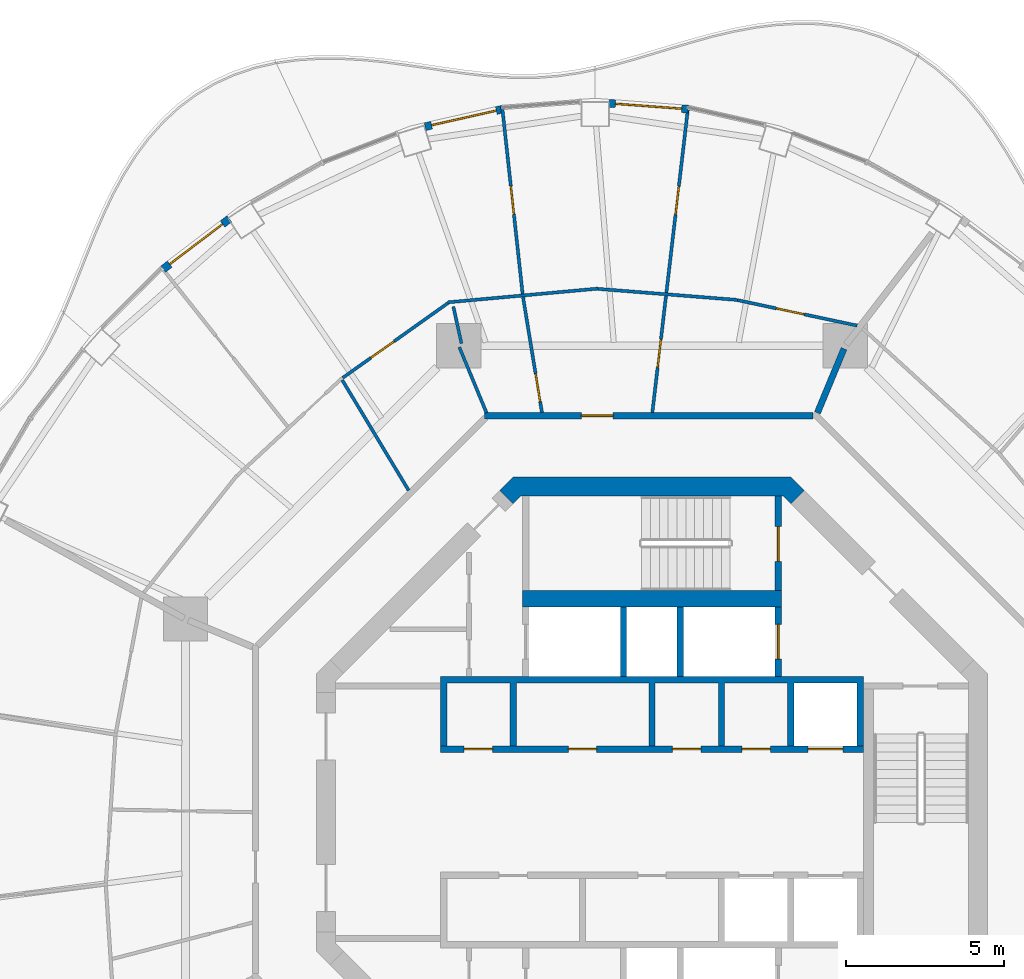
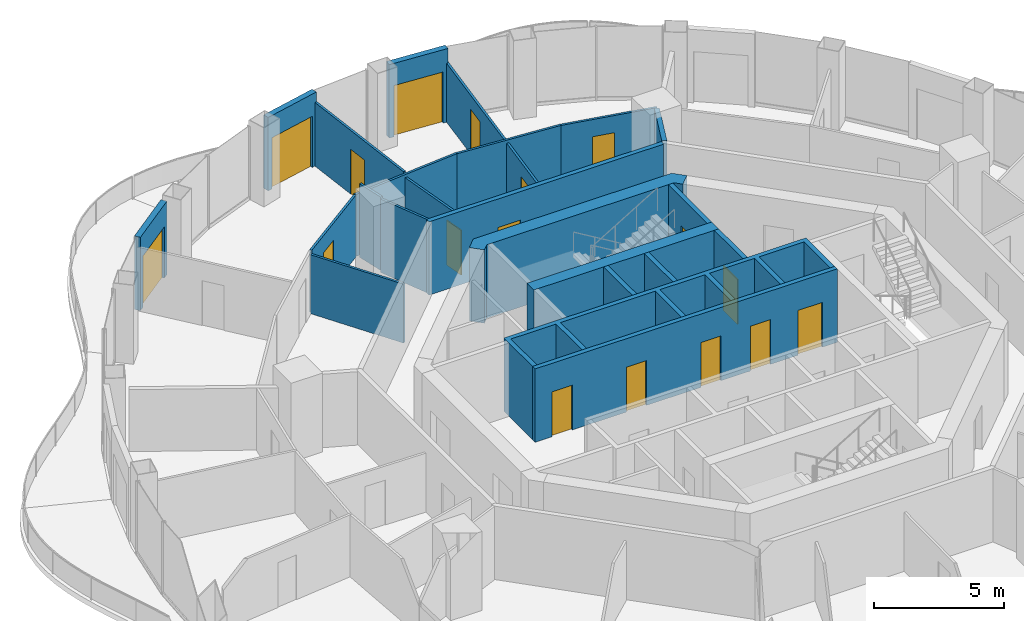
# One storey, part 13 of 17: 23 walls, 17 doors, 17 openings.
"""IFC4 building model written with IfcOpenShell, lengths in metres."""

import ifcopenshell
import ifcopenshell.guid

model = None  # the IFC model being written
_history = None  # IfcOwnerHistory: only IFC2X3 demands one
_inside = {}  # id of a spatial element -> (the spatial element, [elements in it])
_under = {}  # id of a project, library or spatial element -> (it, [spatial elements below it])
_declared = {}  # id of a project -> (the project, [libraries it declares])
_typed = {}  # id of a type object -> (the type object, [elements of that type])
_made_of = {}  # id of a material, layer set ... -> (it, [elements and type objects made of it])


def new_model(schema):
    """Start an empty IFC model of exactly this schema.

    Asked for "IFC4X3", IfcOpenShell would pick the latest addendum, in which some entities
    have other attributes; the version numbers below select the first issue.
    IFC2X3 requires an IfcOwnerHistory on every rooted entity: one is made here for all.
    """
    global model, _history
    if schema == "IFC4X3":
        model = ifcopenshell.file(schema_version=(4, 3, 0, 0))
    else:
        model = ifcopenshell.file(schema=schema)
    _inside.clear()
    _under.clear()
    _declared.clear()
    _typed.clear()
    _made_of.clear()
    _history = None
    if model.schema == "IFC2X3":
        org = make("IfcOrganization", Name="unknown")
        user = make(
            "IfcPersonAndOrganization",
            ThePerson=make("IfcPerson", FamilyName="unknown"),
            TheOrganization=org,
        )
        app = make(
            "IfcApplication",
            ApplicationDeveloper=org,
            Version="unknown",
            ApplicationFullName="unknown",
            ApplicationIdentifier="unknown",
        )
        _history = make(
            "IfcOwnerHistory",
            OwningUser=user,
            OwningApplication=app,
            ChangeAction="ADDED",
            CreationDate=0,
        )
    return model


def make(cls, **values):
    """One entity of the class cls with the attributes given. An attribute that is None is left unset."""
    return model.create_entity(
        cls, **{name: value for name, value in values.items() if value is not None}
    )


def rooted(cls, **values):
    """An entity with a GlobalId (a new one), such as an element, a storey or a relation."""
    return make(cls, GlobalId=ifcopenshell.guid.new(), OwnerHistory=_history, **values)


def si_unit(unit_type, name, prefix=None):
    """IfcSIUnit, for example si_unit("LENGTHUNIT", "METRE", prefix="MILLI")."""
    return make("IfcSIUnit", UnitType=unit_type, Prefix=prefix, Name=name)


def assignment(units):
    """IfcUnitAssignment: the units of a project."""
    return None if units is None else make("IfcUnitAssignment", Units=units)


def point(xyz):
    """IfcCartesianPoint."""
    return None if xyz is None else make("IfcCartesianPoint", Coordinates=xyz)


def direction(xyz):
    """IfcDirection."""
    return None if xyz is None else make("IfcDirection", DirectionRatios=xyz)


def frame(location, z_axis=None, x_axis=None):
    """IfcAxis2Placement3D, a coordinate frame: its origin and axes. An axis left out is left unset."""
    return make(
        "IfcAxis2Placement3D",
        Location=point(location),
        Axis=direction(z_axis),
        RefDirection=direction(x_axis),
    )


def frame_2d(location, x_axis=None):
    """IfcAxis2Placement2D, a coordinate frame in the plane: its origin and x axis."""
    return make(
        "IfcAxis2Placement2D", Location=point(location), RefDirection=direction(x_axis)
    )


def origin():
    """The frame at (0, 0, 0) with its axes left unset."""
    return frame((0.0, 0.0, 0.0))


def place(relative_to, where):
    """IfcLocalPlacement: puts the frame where relative to a parent placement (None: the world)."""
    return make(
        "IfcLocalPlacement", PlacementRelTo=relative_to, RelativePlacement=where
    )


def context(
    kind, dimensions, precision=None, world=None, true_north=None, identifier=None
):
    """IfcGeometricRepresentationContext, for example the 3D "Model" context."""
    return make(
        "IfcGeometricRepresentationContext",
        ContextIdentifier=identifier,
        ContextType=kind,
        CoordinateSpaceDimension=dimensions,
        Precision=precision,
        WorldCoordinateSystem=world,
        TrueNorth=true_north,
    )


def subcontext(parent, identifier, kind, view, scale=None):
    """IfcGeometricRepresentationSubContext, for example "Body" below "Model"."""
    return make(
        "IfcGeometricRepresentationSubContext",
        ContextIdentifier=identifier,
        ContextType=kind,
        ParentContext=parent,
        TargetScale=scale,
        TargetView=view,
    )


def project(units=None, contexts=None):
    """IfcProject with its units and contexts."""
    return rooted(
        "IfcProject",
        Name="project",
        RepresentationContexts=contexts,
        UnitsInContext=assignment(units),
    )


def spatial(cls, under=None, at=None, **own):
    """A site, building, storey or space (cls), placed at a placement, below another one or the project."""
    s = rooted(cls, ObjectPlacement=at, **own)
    if under is not None:
        _under.setdefault(under.id(), (under, []))[1].append(s)
    return s


def polyline(points):
    """IfcPolyline through the points."""
    return make("IfcPolyline", Points=[point(p) for p in points])


def profile(cls, at=None, kind="AREA", **sizes):
    """A parametric profile (cls). Its sizes go by their IFC names, for example OverallWidth=200.0."""
    return make(cls, ProfileType=kind, Position=at, **sizes)


def rectangle(**sizes):
    """IfcRectangleProfileDef."""
    return profile("IfcRectangleProfileDef", **sizes)


def outline(outer, holes=None, kind="AREA"):
    """IfcArbitraryClosedProfileDef: a profile drawn as a closed curve; with holes, ...WithVoids."""
    if holes is None:
        return make("IfcArbitraryClosedProfileDef", ProfileType=kind, OuterCurve=outer)
    return make(
        "IfcArbitraryProfileDefWithVoids",
        ProfileType=kind,
        OuterCurve=outer,
        InnerCurves=holes,
    )


def extrude(swept, where, along, depth):
    """IfcExtrudedAreaSolid: the profile swept, set in the frame where, extruded along a direction by depth."""
    return make(
        "IfcExtrudedAreaSolid",
        SweptArea=swept,
        Position=where,
        ExtrudedDirection=direction(along),
        Depth=depth,
    )


def shape(context_of_items, identifier, shape_type, items):
    """IfcShapeRepresentation: the items that make up one representation, for example the "Body"."""
    return make(
        "IfcShapeRepresentation",
        ContextOfItems=context_of_items,
        RepresentationIdentifier=identifier,
        RepresentationType=shape_type,
        Items=items,
    )


def material(Name=None, Category=None):
    """IfcMaterial."""
    return make("IfcMaterial", Name=Name, Category=Category)


def layer(
    of_material, thickness, ventilated=None, Name=None, Category=None, Priority=None
):
    """IfcMaterialLayer: one layer of a wall or slab, of a material (None: an air gap)."""
    return make(
        "IfcMaterialLayer",
        Material=of_material,
        LayerThickness=thickness,
        IsVentilated=ventilated,
        Name=Name,
        Category=Category,
        Priority=Priority,
    )


def layer_set(layers, Name=None):
    """IfcMaterialLayerSet."""
    return make("IfcMaterialLayerSet", MaterialLayers=layers, LayerSetName=Name)


def made_of(thing, what):
    """Note that an element or type object is made of a material, layer set ...; save() writes the relation."""
    if what is not None:
        _made_of.setdefault(what.id(), (what, []))[1].append(thing)
    return thing


def type_object(cls, material=None, **own):
    """A type object (cls), such as IfcWallType, which elements share."""
    return made_of(rooted(cls, **own), material)


def element(
    cls,
    number,
    at=None,
    inside=None,
    cuts=None,
    type_object=None,
    material=None,
    context=None,
    identifier="Body",
    shape_type=None,
    held_by="IfcProductDefinitionShape",
    body=None,
    shapes=None,
    **own,
):
    """One element of the class cls, such as IfcWall. Its Tag is "e" and its number.

    at: its placement. inside: the storey or other place that contains it. cuts: it is an
    opening in that element (IfcRelVoidsElement). A single representation is given by context,
    identifier, shape_type and body (its items); several are given by shapes. held_by: the class
    of the entity that holds the representations. save() writes the other relations.
    """
    e = rooted(cls, Tag="e%d" % number, ObjectPlacement=at, **own)
    if body is not None:
        shapes = [shape(context, identifier, shape_type, body)]
    if shapes is not None:
        e.Representation = make(held_by, Representations=shapes)
    if inside is not None:
        _inside.setdefault(inside.id(), (inside, []))[1].append(e)
    if cuts is not None:
        rooted(
            "IfcRelVoidsElement", RelatingBuildingElement=cuts, RelatedOpeningElement=e
        )
    if type_object is not None:
        _typed.setdefault(type_object.id(), (type_object, []))[1].append(e)
    return made_of(e, material)


def fill(opening, filler):
    """IfcRelFillsElement: the door or window that sits in an opening."""
    return rooted(
        "IfcRelFillsElement",
        RelatingOpeningElement=opening,
        RelatedBuildingElement=filler,
    )


def aggregate(whole, parts):
    """IfcRelAggregates: a whole, such as a stair, and the parts it consists of."""
    return rooted("IfcRelAggregates", RelatingObject=whole, RelatedObjects=parts)


def save(model, path):
    """Write the relations noted so far, then the file.

    IfcRelAggregates (storeys below a building ...), IfcRelContainedInSpatialStructure (elements
    in a storey), IfcRelDefinesByType, IfcRelAssociatesMaterial and IfcRelDeclares: one each for
    every whole, place, type object, material and project.
    """
    for whole, parts in _under.values():
        aggregate(whole, parts)
    for where, things in _inside.values():
        rooted(
            "IfcRelContainedInSpatialStructure",
            RelatedElements=things,
            RelatingStructure=where,
        )
    for kind, things in _typed.values():
        rooted("IfcRelDefinesByType", RelatedObjects=things, RelatingType=kind)
    for what, things in _made_of.values():
        rooted("IfcRelAssociatesMaterial", RelatedObjects=things, RelatingMaterial=what)
    for by, libraries in _declared.values():
        rooted("IfcRelDeclares", RelatingContext=by, RelatedDefinitions=libraries)
    model.write(path)


model = new_model("IFC4")

# Units and contexts
model_context = context("Model", 3, precision=1e-05, world=origin(), true_north=direction((0.0, 1.0)))
body_context = subcontext(model_context, "Body", "Model", "MODEL_VIEW")
ifc_project = project(units=[si_unit("LENGTHUNIT", "METRE"), si_unit("AREAUNIT", "SQUARE_METRE"), si_unit("VOLUMEUNIT", "CUBIC_METRE"), si_unit("PLANEANGLEUNIT", "RADIAN"), si_unit("MASSUNIT", "GRAM", prefix="KILO")], contexts=[model_context])

# Site, building, storey
site_placement = place(None, origin())
site = spatial("IfcSite", under=ifc_project, at=site_placement, CompositionType="ELEMENT")
building_placement = place(site_placement, origin())
building = spatial("IfcBuilding", under=site, at=building_placement, Name="Nagisa Residences", CompositionType="ELEMENT")
storey_placement = place(building_placement, frame((0.0, 0.0, 265.89990234375)))
storey = spatial("IfcBuildingStorey", under=building, at=storey_placement, Name="L67", CompositionType="ELEMENT", Elevation=265.89990234375)

# Wall
ifc_material_1 = material(Name="Gypsum board on steel studs", Category="steel")
ifc_layer_1 = layer(ifc_material_1, 0.199951171875)
ifc_layer_set_1 = layer_set([ifc_layer_1], Name="Apartment compartment wall EI60 200")
wall_type_1 = type_object("IfcWallType", Name="Apartment compartment wall EI60 200", PredefinedType="PARTITIONING", material=ifc_layer_set_1)
wall_1_placement = place(storey_placement, frame((5.24267578125, 12.6572265625, 0.0), z_axis=(0.0, 0.0, 1.0), x_axis=(0.382691608661, 0.923876145736, 0.0)))
element("IfcWall", 1, at=wall_1_placement, inside=storey, type_object=wall_type_1, Name="wall:L67:u00", PredefinedType="PARTITIONING", context=body_context, shape_type="SweptSolid", body=[
    extrude(rectangle(XDim=2.19970703125, YDim=0.199951171875, at=frame_2d((1.099853515625, 0.0))), origin(), (0.0, 0.0, 1.0), 3.440185546875),
])

# Wall, opening, door
ifc_material_2 = material(Name="Gypsum board on steel studs", Category="steel")
ifc_layer_2 = layer(ifc_material_2, 0.199951171875)
ifc_layer_set_2 = layer_set([ifc_layer_2], Name="Apartment entry wall EI60 200")
wall_type_2 = type_object("IfcWallType", Name="Apartment entry wall EI60 200", PredefinedType="PARTITIONING", material=ifc_layer_set_2)
wall_2_placement = place(storey_placement, frame((5.1044921875, 12.564697265625, 0.0), z_axis=(0.0, 0.0, 1.0), x_axis=(-1.0, 0.0, 0.0)))
wall_2 = element("IfcWall", 2, at=wall_2_placement, inside=storey, type_object=wall_type_2, Name="wall:L67:u10", PredefinedType="PARTITIONING", context=body_context, shape_type="SweptSolid", body=[
    extrude(rectangle(XDim=10.408935546875, YDim=0.199951171875, at=frame_2d((5.20458984375, 0.0))), origin(), (0.0, 0.0, 1.0), 3.440185546875),
])
opening_1_placement = place(wall_2_placement, frame((6.33935546875, 0.0, 0.0)))
opening_1 = element("IfcOpeningElement", 3, at=opening_1_placement, cuts=wall_2, Name="Opening L67-U09", PredefinedType="OPENING", context=body_context, shape_type="SweptSolid", body=[
    extrude(rectangle(XDim=1.0, YDim=2.10009765625, at=frame_2d((0.5, 1.050048828125))), frame((0.0, 0.10986328125, 0.0), z_axis=(0.0, -1.0, 0.0), x_axis=(1.0, 0.0, 0.0)), (0.0, 0.0, 1.0), 0.219970703125),
])
ifc_material_3 = material(Name="Timber fire door set", Category="wood")
door_type_1 = type_object("IfcDoorType", Name="Apartment entry door FD30S 1000x2100", OperationType="NOTDEFINED", PredefinedType="DOOR", material=ifc_material_3)
door_1_placement = place(opening_1_placement, frame((1.0, 0.0, 0.0), x_axis=(-1.0, 0.0, 0.0)))
door_1 = element("IfcDoor", 4, at=door_1_placement, inside=storey, type_object=door_type_1, Name="Entry door, Apartment 67B", OperationType="SINGLE_SWING_RIGHT", OverallHeight=2.10009765625, OverallWidth=1.0, PredefinedType="DOOR", context=body_context, shape_type="SweptSolid", body=[
    extrude(rectangle(XDim=1.0, YDim=2.10009765625, at=frame_2d((0.5, 1.050048828125))), frame((0.0, 0.02490234375, 0.0), z_axis=(0.0, -1.0, 0.0), x_axis=(1.0, 0.0, 0.0)), (0.0, 0.0, 1.0), 0.050048828125),
])
fill(opening_1, door_1)

ifc_material_4 = material(Name="Gypsum board on steel studs", Category="steel")
ifc_layer_3 = layer(ifc_material_4, 0.10009765625)
ifc_layer_set_3 = layer_set([ifc_layer_3], Name="Apartment partition 100")
wall_type_3 = type_object("IfcWallType", Name="Apartment partition 100", PredefinedType="PARTITIONING", material=ifc_layer_set_3)
wall_3_placement = place(storey_placement, frame((6.50048828125, 15.41943359375, 0.0), z_axis=(0.0, 0.0, 1.0), x_axis=(-0.978053492557, 0.208353943321, 0.0)))
wall_3 = element("IfcWall", 5, at=wall_3_placement, inside=storey, type_object=wall_type_3, Name="wall:L67:u27", PredefinedType="PARTITIONING", context=body_context, shape_type="SweptSolid", body=[
    extrude(rectangle(XDim=3.873779296875, YDim=0.10009765625, at=frame_2d((1.93701171875, 0.0))), origin(), (0.0, 0.0, 1.0), 2.905029296875),
])
opening_2_placement = place(wall_3_placement, frame((1.71435546875, 0.0, 0.0)))
opening_2 = element("IfcOpeningElement", 6, at=opening_2_placement, cuts=wall_3, Name="Opening L67-U12", PredefinedType="OPENING", context=body_context, shape_type="SweptSolid", body=[
    extrude(rectangle(XDim=0.89990234375, YDim=2.10009765625, at=frame_2d((0.449951171875, 1.050048828125))), frame((0.0, 0.06005859375, 0.0), z_axis=(0.0, -1.0, 0.0), x_axis=(1.0, 0.0, 0.0)), (0.0, 0.0, 1.0), 0.1201171875),
])
ifc_material_5 = material(Name="Timber door set", Category="wood")
door_type_2 = type_object("IfcDoorType", Name="Apartment door 900x2100", OperationType="NOTDEFINED", PredefinedType="DOOR", material=ifc_material_5)
door_2_placement = place(opening_2_placement, frame((0.89990234375, 0.0, 0.0), x_axis=(-1.0, 0.0, 0.0)))
door_2 = element("IfcDoor", 7, at=door_2_placement, inside=storey, type_object=door_type_2, Name="Door to kitchen, Apartment 67B", OperationType="SINGLE_SWING_LEFT", OverallHeight=2.10009765625, OverallWidth=0.89990234375, PredefinedType="DOOR", context=body_context, shape_type="SweptSolid", body=[
    extrude(rectangle(XDim=0.89990234375, YDim=2.10009765625, at=frame_2d((0.449951171875, 1.050048828125))), frame((0.0, 0.02490234375, 0.0), z_axis=(0.0, -1.0, 0.0), x_axis=(1.0, 0.0, 0.0)), (0.0, 0.0, 1.0), 0.050048828125),
])
fill(opening_2, door_2)

# Wall
wall_4_placement = place(storey_placement, frame((2.712646484375, 16.23291015625, 0.0), z_axis=(0.0, 0.0, 1.0), x_axis=(-0.996870142942, 0.079056423588, 0.0)))
element("IfcWall", 8, at=wall_4_placement, inside=storey, type_object=wall_type_3, Name="wall:L67:u28", PredefinedType="PARTITIONING", context=body_context, shape_type="SweptSolid", body=[
    extrude(rectangle(XDim=4.437744140625, YDim=0.10009765625, at=frame_2d((2.21875, 0.0))), origin(), (0.0, 0.0, 1.0), 2.905029296875),
])

# Wall, openings, doors
wall_5_placement = place(storey_placement, frame((0.01171875, 12.6640625, 0.0), z_axis=(0.0, 0.0, 1.0), x_axis=(0.11636251357, 0.993206808996, 0.0)))
wall_5 = element("IfcWall", 9, at=wall_5_placement, inside=storey, type_object=wall_type_3, Name="wall:L67:u29", PredefinedType="PARTITIONING", context=body_context, shape_type="SweptSolid", body=[
    extrude(rectangle(XDim=9.7646484375, YDim=0.10009765625, at=frame_2d((4.88232421875, 0.0))), origin(), (0.0, 0.0, 1.0), 2.76220703125),
])
opening_3_placement = place(wall_5_placement, frame((1.43701171875, 0.0, 0.0)))
opening_3 = element("IfcOpeningElement", 10, at=opening_3_placement, cuts=wall_5, Name="Opening L67-U10", PredefinedType="OPENING", context=body_context, shape_type="SweptSolid", body=[
    extrude(rectangle(XDim=0.89990234375, YDim=2.10009765625, at=frame_2d((0.449951171875, 1.050048828125))), frame((0.0, 0.06005859375, 0.0), z_axis=(0.0, -1.0, 0.0), x_axis=(1.0, 0.0, 0.0)), (0.0, 0.0, 1.0), 0.1201171875),
])
opening_4_placement = place(wall_5_placement, frame((6.3193359375, 0.0, 0.0)))
opening_4 = element("IfcOpeningElement", 11, at=opening_4_placement, cuts=wall_5, Name="Opening L67-U13", PredefinedType="OPENING", context=body_context, shape_type="SweptSolid", body=[
    extrude(rectangle(XDim=0.89990234375, YDim=2.10009765625, at=frame_2d((0.449951171875, 1.050048828125))), frame((0.0, 0.06005859375, 0.0), z_axis=(0.0, -1.0, 0.0), x_axis=(1.0, 0.0, 0.0)), (0.0, 0.0, 1.0), 0.1201171875),
])
door_3_placement = place(opening_3_placement, frame((0.89990234375, 0.0, 0.0), x_axis=(-1.0, 0.0, 0.0)))
door_3 = element("IfcDoor", 12, at=door_3_placement, inside=storey, type_object=door_type_2, Name="Door to store, Apartment 67B", OperationType="SINGLE_SWING_LEFT", OverallHeight=2.10009765625, OverallWidth=0.89990234375, PredefinedType="DOOR", context=body_context, shape_type="SweptSolid", body=[
    extrude(rectangle(XDim=0.89990234375, YDim=2.10009765625, at=frame_2d((0.449951171875, 1.050048828125))), frame((0.0, 0.02490234375, 0.0), z_axis=(0.0, -1.0, 0.0), x_axis=(1.0, 0.0, 0.0)), (0.0, 0.0, 1.0), 0.050048828125),
])
fill(opening_3, door_3)
door_4_placement = place(opening_4_placement, origin())
door_4 = element("IfcDoor", 13, at=door_4_placement, inside=storey, type_object=door_type_2, Name="Door to bedroom, Apartment 67B", OperationType="SINGLE_SWING_LEFT", OverallHeight=2.10009765625, OverallWidth=0.89990234375, PredefinedType="DOOR", context=body_context, shape_type="SweptSolid", body=[
    extrude(rectangle(XDim=0.89990234375, YDim=2.10009765625, at=frame_2d((0.449951171875, 1.050048828125))), frame((0.0, 0.02490234375, 0.0), z_axis=(0.0, -1.0, 0.0), x_axis=(1.0, 0.0, 0.0)), (0.0, 0.0, 1.0), 0.050048828125),
])
fill(opening_4, door_4)

# Wall
wall_6_placement = place(storey_placement, frame((-1.711181640625, 16.59228515625, 0.0), z_axis=(0.0, 0.0, 1.0), x_axis=(-0.995843707015, -0.091078599017, 0.0)))
element("IfcWall", 14, at=wall_6_placement, inside=storey, type_object=wall_type_3, Name="wall:L67:u30", PredefinedType="PARTITIONING", context=body_context, shape_type="SweptSolid", body=[
    extrude(rectangle(XDim=4.78466796875, YDim=0.10009765625, at=frame_2d((2.392333984375, 0.0))), origin(), (0.0, 0.0, 1.0), 2.905029296875),
])

# Wall, opening, door
wall_7_placement = place(storey_placement, frame((-3.48583984375, 12.663330078125, 0.0), z_axis=(0.0, 0.0, 1.0), x_axis=(-0.161602751674, 0.986855891532, 0.0)))
wall_7 = element("IfcWall", 15, at=wall_7_placement, inside=storey, type_object=wall_type_3, Name="wall:L67:u31", PredefinedType="PARTITIONING", context=body_context, shape_type="SweptSolid", body=[
    extrude(rectangle(XDim=3.71044921875, YDim=0.10009765625, at=frame_2d((1.855224609375, 0.0))), origin(), (0.0, 0.0, 1.0), 2.76220703125),
])
opening_5_placement = place(wall_7_placement, frame((0.35009765625, 0.0, 0.0)))
opening_5 = element("IfcOpeningElement", 16, at=opening_5_placement, cuts=wall_7, Name="Opening L67-U11", PredefinedType="OPENING", context=body_context, shape_type="SweptSolid", body=[
    extrude(rectangle(XDim=0.89990234375, YDim=2.10009765625, at=frame_2d((0.449951171875, 1.050048828125))), frame((0.0, 0.06005859375, 0.0), z_axis=(0.0, -1.0, 0.0), x_axis=(1.0, 0.0, 0.0)), (0.0, 0.0, 1.0), 0.1201171875),
])
door_5_placement = place(opening_5_placement, origin())
door_5 = element("IfcDoor", 17, at=door_5_placement, inside=storey, type_object=door_type_2, Name="Door to family bathroom, Apartment 67B", OperationType="SINGLE_SWING_LEFT", OverallHeight=2.10009765625, OverallWidth=0.89990234375, PredefinedType="DOOR", context=body_context, shape_type="SweptSolid", body=[
    extrude(rectangle(XDim=0.89990234375, YDim=2.10009765625, at=frame_2d((0.449951171875, 1.050048828125))), frame((0.0, 0.02490234375, 0.0), z_axis=(0.0, -1.0, 0.0), x_axis=(1.0, 0.0, 0.0)), (0.0, 0.0, 1.0), 0.050048828125),
])
fill(opening_5, door_5)

wall_8_placement = place(storey_placement, frame((-4.098876953125, 16.424072265625, 0.0), z_axis=(0.0, 0.0, 1.0), x_axis=(-0.10867295252, 0.99407755703, 0.0)))
wall_8 = element("IfcWall", 18, at=wall_8_placement, inside=storey, type_object=wall_type_3, Name="wall:L67:u32", PredefinedType="PARTITIONING", context=body_context, shape_type="SweptSolid", body=[
    extrude(rectangle(XDim=5.9736328125, YDim=0.10009765625, at=frame_2d((2.98681640625, 0.0))), origin(), (0.0, 0.0, 1.0), 2.983154296875),
])
opening_6_placement = place(wall_8_placement, frame((2.536865234375, 0.0, 0.0)))
opening_6 = element("IfcOpeningElement", 19, at=opening_6_placement, cuts=wall_8, Name="Opening L67-U14", PredefinedType="OPENING", context=body_context, shape_type="SweptSolid", body=[
    extrude(rectangle(XDim=0.89990234375, YDim=2.10009765625, at=frame_2d((0.449951171875, 1.050048828125))), frame((0.0, 0.06005859375, 0.0), z_axis=(0.0, -1.0, 0.0), x_axis=(1.0, 0.0, 0.0)), (0.0, 0.0, 1.0), 0.1201171875),
])
door_6_placement = place(opening_6_placement, origin())
door_6 = element("IfcDoor", 20, at=door_6_placement, inside=storey, type_object=door_type_2, Name="Door to living room, Apartment 67B", OperationType="SINGLE_SWING_RIGHT", OverallHeight=2.10009765625, OverallWidth=0.89990234375, PredefinedType="DOOR", context=body_context, shape_type="SweptSolid", body=[
    extrude(rectangle(XDim=0.89990234375, YDim=2.10009765625, at=frame_2d((0.449951171875, 1.050048828125))), frame((0.0, 0.02490234375, 0.0), z_axis=(0.0, -1.0, 0.0), x_axis=(1.0, 0.0, 0.0)), (0.0, 0.0, 1.0), 0.050048828125),
])
fill(opening_6, door_6)

# Wall
wall_9_placement = place(storey_placement, frame((-5.24267578125, 12.6572265625, 0.0), z_axis=(0.0, 0.0, 1.0), x_axis=(-0.382719158442, 0.923864733477, 0.0)))
element("IfcWall", 21, at=wall_9_placement, inside=storey, type_object=wall_type_3, Name="wall:L67:u33", PredefinedType="PARTITIONING", context=body_context, shape_type="SweptSolid", body=[
    extrude(rectangle(XDim=2.25, YDim=0.10009765625, at=frame_2d((1.125, 0.0))), origin(), (0.0, 0.0, 1.0), 3.440185546875),
])

# Wall, opening, door
wall_10_placement = place(storey_placement, frame((-6.467041015625, 16.132080078125, 0.0), z_axis=(0.0, 0.0, 1.0), x_axis=(-0.815192286069, -0.579190414919, 0.0)))
wall_10 = element("IfcWall", 22, at=wall_10_placement, inside=storey, type_object=wall_type_3, Name="wall:L67:u34", PredefinedType="PARTITIONING", context=body_context, shape_type="SweptSolid", body=[
    extrude(rectangle(XDim=4.086181640625, YDim=0.10009765625, at=frame_2d((2.04296875, 0.0))), origin(), (0.0, 0.0, 1.0), 2.905029296875),
])
opening_7_placement = place(wall_10_placement, frame((2.09033203125, 0.0, 0.0)))
opening_7 = element("IfcOpeningElement", 23, at=opening_7_placement, cuts=wall_10, Name="Opening L67-U16", PredefinedType="OPENING", context=body_context, shape_type="SweptSolid", body=[
    extrude(rectangle(XDim=0.89990234375, YDim=2.10009765625, at=frame_2d((0.449951171875, 1.050048828125))), frame((0.0, 0.06005859375, 0.0), z_axis=(0.0, -1.0, 0.0), x_axis=(1.0, 0.0, 0.0)), (0.0, 0.0, 1.0), 0.1201171875),
])
door_7_placement = place(opening_7_placement, origin())
door_7 = element("IfcDoor", 24, at=door_7_placement, inside=storey, type_object=door_type_2, Name="Door to store, Apartment 67B", OperationType="SINGLE_SWING_RIGHT", OverallHeight=2.10009765625, OverallWidth=0.89990234375, PredefinedType="DOOR", context=body_context, shape_type="SweptSolid", body=[
    extrude(rectangle(XDim=0.89990234375, YDim=2.10009765625, at=frame_2d((0.449951171875, 1.050048828125))), frame((0.0, 0.02490234375, 0.0), z_axis=(0.0, -1.0, 0.0), x_axis=(1.0, 0.0, 0.0)), (0.0, 0.0, 1.0), 0.050048828125),
])
fill(opening_7, door_7)

# Walls
wall_11_placement = place(storey_placement, frame((-7.70947265625, 10.197021484375, 0.0), z_axis=(0.0, 0.0, 1.0), x_axis=(-0.515524871668, 0.856874615502, 0.0)))
element("IfcWall", 25, at=wall_11_placement, inside=storey, type_object=wall_type_3, Name="wall:L67:u35", PredefinedType="PARTITIONING", context=body_context, shape_type="SweptSolid", body=[
    extrude(rectangle(XDim=4.080322265625, YDim=0.10009765625, at=frame_2d((2.0400390625, 0.0))), origin(), (0.0, 0.0, 1.0), 2.76220703125),
])
wall_12_placement = place(storey_placement, frame((-6.035888671875, 14.8525390625, 0.0), z_axis=(0.0, 0.0, 1.0), x_axis=(-0.215009518078, 0.976611953202, 0.0)))
element("IfcWall", 26, at=wall_12_placement, inside=storey, type_object=wall_type_3, Name="wall:L67:u69", PredefinedType="PARTITIONING", context=body_context, shape_type="SweptSolid", body=[
    extrude(rectangle(XDim=1.197998046875, YDim=0.10009765625, at=frame_2d((0.59912109375, 0.0))), origin(), (0.0, 0.0, 1.0), 3.440185546875),
])

# Wall, opening, door
ifc_material_6 = material(Name="Precast concrete C40/50", Category="concrete")
ifc_layer_4 = layer(ifc_material_6, 0.25)
ifc_layer_set_4 = layer_set([ifc_layer_4], Name="BALCONY DOOR WALL 250")
wall_type_4 = type_object("IfcWallType", Name="BALCONY DOOR WALL 250", PredefinedType="SOLIDWALL", material=ifc_layer_set_4)
wall_13_placement = place(storey_placement, frame((-1.360595703125, 22.464111328125, 0.0), z_axis=(0.0, 0.0, 1.0), x_axis=(0.997229684519, -0.074383844448, 0.0)))
wall_13 = element("IfcWall", 27, at=wall_13_placement, inside=storey, type_object=wall_type_4, Name="wall:L67:bay11", PredefinedType="SOLIDWALL", context=body_context, shape_type="SweptSolid", body=[
    extrude(rectangle(XDim=2.5107421875, YDim=0.25, at=frame_2d((1.25537109375, 0.0))), origin(), (0.0, 0.0, 1.0), 3.440185546875),
])
opening_8_placement = place(wall_13_placement, frame((0.205322265625, 0.0, 0.0)))
opening_8 = element("IfcOpeningElement", 28, at=opening_8_placement, cuts=wall_13, Name="Opening BD-L67-04", PredefinedType="OPENING", context=body_context, shape_type="SweptSolid", body=[
    extrude(rectangle(XDim=2.10009765625, YDim=2.39990234375, at=frame_2d((1.050048828125, 1.199951171875))), frame((0.0, 0.135009765625, 0.0), z_axis=(0.0, -1.0, 0.0), x_axis=(1.0, 0.0, 0.0)), (0.0, 0.0, 1.0), 0.27001953125),
])
ifc_material_7 = material(Name="Aluminium and clear glass", Category="aluminium")
door_type_3 = type_object("IfcDoorType", Name="BALCONY SLIDING DOOR 2100x2400", OperationType="SLIDING_TO_LEFT", PredefinedType="DOOR", material=ifc_material_7)
door_8_placement = place(opening_8_placement, origin())
door_8 = element("IfcDoor", 29, at=door_8_placement, inside=storey, type_object=door_type_3, Name="door:L67:bay11", OperationType="SLIDING_TO_LEFT", OverallHeight=2.39990234375, OverallWidth=2.10009765625, PredefinedType="DOOR", context=body_context, shape_type="SweptSolid", body=[
    extrude(rectangle(XDim=2.10009765625, YDim=2.39990234375, at=frame_2d((1.050048828125, 1.199951171875))), frame((0.0, 0.02490234375, 0.0), z_axis=(0.0, -1.0, 0.0), x_axis=(1.0, 0.0, 0.0)), (0.0, 0.0, 1.0), 0.050048828125),
])
fill(opening_8, door_8)

wall_14_placement = place(storey_placement, frame((-7.18798828125, 21.72265625, 0.0), z_axis=(0.0, 0.0, 1.0), x_axis=(0.975319584032, 0.220797891756, 0.0)))
wall_14 = element("IfcWall", 30, at=wall_14_placement, inside=storey, type_object=wall_type_4, Name="wall:L67:bay13", PredefinedType="SOLIDWALL", context=body_context, shape_type="SweptSolid", body=[
    extrude(rectangle(XDim=2.525390625, YDim=0.25, at=frame_2d((1.2626953125, 0.0))), origin(), (0.0, 0.0, 1.0), 3.440185546875),
])
opening_9_placement = place(wall_14_placement, frame((0.212646484375, 0.0, 0.0)))
opening_9 = element("IfcOpeningElement", 31, at=opening_9_placement, cuts=wall_14, Name="Opening BD-L67-05", PredefinedType="OPENING", context=body_context, shape_type="SweptSolid", body=[
    extrude(rectangle(XDim=2.10009765625, YDim=2.39990234375, at=frame_2d((1.050048828125, 1.199951171875))), frame((0.0, 0.135009765625, 0.0), z_axis=(0.0, -1.0, 0.0), x_axis=(1.0, 0.0, 0.0)), (0.0, 0.0, 1.0), 0.27001953125),
])
door_9_placement = place(opening_9_placement, origin())
door_9 = element("IfcDoor", 32, at=door_9_placement, inside=storey, type_object=door_type_3, Name="door:L67:bay13", OperationType="SLIDING_TO_LEFT", OverallHeight=2.39990234375, OverallWidth=2.10009765625, PredefinedType="DOOR", context=body_context, shape_type="SweptSolid", body=[
    extrude(rectangle(XDim=2.10009765625, YDim=2.39990234375, at=frame_2d((1.050048828125, 1.199951171875))), frame((0.0, 0.02490234375, 0.0), z_axis=(0.0, -1.0, 0.0), x_axis=(1.0, 0.0, 0.0)), (0.0, 0.0, 1.0), 0.050048828125),
])
fill(opening_9, door_9)

wall_15_placement = place(storey_placement, frame((-15.49462890625, 17.20361328125, 0.0), z_axis=(0.0, 0.0, 1.0), x_axis=(0.796010739377, 0.605282498339, 0.0)))
wall_15 = element("IfcWall", 33, at=wall_15_placement, inside=storey, type_object=wall_type_4, Name="wall:L67:bay16", PredefinedType="SOLIDWALL", context=body_context, shape_type="SweptSolid", body=[
    extrude(rectangle(XDim=2.640625, YDim=0.25, at=frame_2d((1.3203125, 0.0))), origin(), (0.0, 0.0, 1.0), 3.440185546875),
])
opening_10_placement = place(wall_15_placement, frame((0.270263671875, 0.0, 0.0)))
opening_10 = element("IfcOpeningElement", 34, at=opening_10_placement, cuts=wall_15, Name="Opening BD-L67-06", PredefinedType="OPENING", context=body_context, shape_type="SweptSolid", body=[
    extrude(rectangle(XDim=2.10009765625, YDim=2.39990234375, at=frame_2d((1.050048828125, 1.199951171875))), frame((0.0, 0.135009765625, 0.0), z_axis=(0.0, -1.0, 0.0), x_axis=(1.0, 0.0, 0.0)), (0.0, 0.0, 1.0), 0.27001953125),
])
door_10_placement = place(opening_10_placement, origin())
door_10 = element("IfcDoor", 35, at=door_10_placement, inside=storey, type_object=door_type_3, Name="door:L67:bay16", OperationType="SLIDING_TO_LEFT", OverallHeight=2.39990234375, OverallWidth=2.10009765625, PredefinedType="DOOR", context=body_context, shape_type="SweptSolid", body=[
    extrude(rectangle(XDim=2.10009765625, YDim=2.39990234375, at=frame_2d((1.050048828125, 1.199951171875))), frame((0.0, 0.02490234375, 0.0), z_axis=(0.0, -1.0, 0.0), x_axis=(1.0, 0.0, 0.0)), (0.0, 0.0, 1.0), 0.050048828125),
])
fill(opening_10, door_10)

# Wall
ifc_material_8 = material(Name="Concrete C60", Category="concrete")
ifc_layer_5 = layer(ifc_material_8, 0.60009765625)
ifc_layer_set_5 = layer_set([ifc_layer_5], Name="Core shear wall 600")
wall_type_5 = type_object("IfcWallType", Name="Core shear wall 600", PredefinedType="SHEAR", material=ifc_layer_set_5)
wall_16_placement = place(storey_placement, origin())
element("IfcWall", 36, at=wall_16_placement, inside=storey, type_object=wall_type_5, Name="wall:L67:core:flat2", PredefinedType="SHEAR", context=body_context, shape_type="SweptSolid", body=[
    extrude(outline(polyline([(-4.15234375, 10.024658203125), (-4.40087890625, 9.776123046875), (-4.8251953125, 10.200439453125), (-4.40087890625, 10.62451171875), (4.40087890625, 10.62451171875), (4.8251953125, 10.200439453125), (4.40087890625, 9.776123046875), (4.15234375, 10.024658203125), (-4.15234375, 10.024658203125)])), origin(), (0.0, 0.0, 1.0), 3.440185546875),
])

# Wall, opening, door
ifc_material_9 = material(Name="Concrete C60", Category="concrete")
ifc_layer_6 = layer(ifc_material_9, 0.199951171875)
ifc_layer_set_6 = layer_set([ifc_layer_6], Name="Lift shaft wall 200")
wall_type_6 = type_object("IfcWallType", Name="Lift shaft wall 200", PredefinedType="SOLIDWALL", material=ifc_layer_set_6)
wall_17_placement = place(storey_placement, frame((4.0, 4.300048828125, 0.0), z_axis=(0.0, 0.0, 1.0), x_axis=(0.0, 1.0, 0.0)))
wall_17 = element("IfcWall", 37, at=wall_17_placement, inside=storey, type_object=wall_type_6, Name="wall:L67:Nb3", PredefinedType="SOLIDWALL", context=body_context, shape_type="SweptSolid", body=[
    extrude(rectangle(XDim=2.199951171875, YDim=0.199951171875, at=frame_2d((1.10009765625, 0.0))), origin(), (0.0, 0.0, 1.0), 3.440185546875),
])
opening_11_placement = place(wall_17_placement, frame((0.550048828125, 0.0, 0.0)))
opening_11 = element("IfcOpeningElement", 38, at=opening_11_placement, cuts=wall_17, Name="Opening L67-C04", PredefinedType="OPENING", context=body_context, shape_type="SweptSolid", body=[
    extrude(rectangle(XDim=1.10009765625, YDim=2.10009765625, at=frame_2d((0.550048828125, 1.050048828125))), frame((0.0, 0.10986328125, 0.0), z_axis=(0.0, -1.0, 0.0), x_axis=(1.0, 0.0, 0.0)), (0.0, 0.0, 1.0), 0.219970703125),
])
ifc_material_10 = material(Name="Stainless steel", Category="steel")
door_type_4 = type_object("IfcDoorType", Name="Lift landing door 1100x2100", OperationType="DOUBLE_DOOR_SLIDING", PredefinedType="DOOR", material=ifc_material_10)
door_11_placement = place(opening_11_placement, origin())
door_11 = element("IfcDoor", 39, at=door_11_placement, inside=storey, type_object=door_type_4, Name="Landing door FL1 L67", OperationType="DOUBLE_DOOR_SLIDING", OverallHeight=2.10009765625, OverallWidth=1.10009765625, PredefinedType="DOOR", context=body_context, shape_type="SweptSolid", body=[
    extrude(rectangle(XDim=1.10009765625, YDim=2.10009765625, at=frame_2d((0.550048828125, 1.050048828125))), frame((0.0, 0.02490234375, 0.0), z_axis=(0.0, -1.0, 0.0), x_axis=(1.0, 0.0, 0.0)), (0.0, 0.0, 1.0), 0.050048828125),
])
fill(opening_11, door_11)

# Wall, openings, doors
wall_18_placement = place(storey_placement, frame((-6.699951171875, 2.0, 0.0), z_axis=(0.0, 0.0, 1.0), x_axis=(1.0, 0.0, 0.0)))
wall_18 = element("IfcWall", 40, at=wall_18_placement, inside=storey, type_object=wall_type_6, Name="wall:L67:Nfront", PredefinedType="SOLIDWALL", context=body_context, shape_type="SweptSolid", body=[
    extrude(rectangle(XDim=13.39990234375, YDim=0.199951171875, at=frame_2d((6.699951171875, 0.0))), origin(), (0.0, 0.0, 1.0), 3.440185546875),
])
opening_12_placement = place(wall_18_placement, frame((11.64990234375, 0.0, 0.0)))
opening_12 = element("IfcOpeningElement", 41, at=opening_12_placement, cuts=wall_18, Name="Opening L67-C01", PredefinedType="OPENING", context=body_context, shape_type="SweptSolid", body=[
    extrude(rectangle(XDim=1.10009765625, YDim=2.10009765625, at=frame_2d((0.550048828125, 1.050048828125))), frame((0.0, 0.10986328125, 0.0), z_axis=(0.0, -1.0, 0.0), x_axis=(1.0, 0.0, 0.0)), (0.0, 0.0, 1.0), 0.219970703125),
])
opening_13_placement = place(wall_18_placement, frame((0.75, 0.0, 0.0)))
opening_13 = element("IfcOpeningElement", 42, at=opening_13_placement, cuts=wall_18, Name="Opening L67-C15", PredefinedType="OPENING", context=body_context, shape_type="SweptSolid", body=[
    extrude(rectangle(XDim=0.89990234375, YDim=2.10009765625, at=frame_2d((0.449951171875, 1.050048828125))), frame((0.0, 0.10986328125, 0.0), z_axis=(0.0, -1.0, 0.0), x_axis=(1.0, 0.0, 0.0)), (0.0, 0.0, 1.0), 0.219970703125),
])
opening_14_placement = place(wall_18_placement, frame((4.050048828125, 0.0, 0.0)))
opening_14 = element("IfcOpeningElement", 43, at=opening_14_placement, cuts=wall_18, Name="Opening L67-C16", PredefinedType="OPENING", context=body_context, shape_type="SweptSolid", body=[
    extrude(rectangle(XDim=0.89990234375, YDim=2.10009765625, at=frame_2d((0.449951171875, 1.050048828125))), frame((0.0, 0.10986328125, 0.0), z_axis=(0.0, -1.0, 0.0), x_axis=(1.0, 0.0, 0.0)), (0.0, 0.0, 1.0), 0.219970703125),
])
opening_15_placement = place(wall_18_placement, frame((7.35009765625, 0.0, 0.0)))
opening_15 = element("IfcOpeningElement", 44, at=opening_15_placement, cuts=wall_18, Name="Opening L67-C17", PredefinedType="OPENING", context=body_context, shape_type="SweptSolid", body=[
    extrude(rectangle(XDim=0.89990234375, YDim=2.10009765625, at=frame_2d((0.449951171875, 1.050048828125))), frame((0.0, 0.10986328125, 0.0), z_axis=(0.0, -1.0, 0.0), x_axis=(1.0, 0.0, 0.0)), (0.0, 0.0, 1.0), 0.219970703125),
])
opening_16_placement = place(wall_18_placement, frame((9.550048828125, 0.0, 0.0)))
opening_16 = element("IfcOpeningElement", 45, at=opening_16_placement, cuts=wall_18, Name="Opening L67-C18", PredefinedType="OPENING", context=body_context, shape_type="SweptSolid", body=[
    extrude(rectangle(XDim=0.89990234375, YDim=2.10009765625, at=frame_2d((0.449951171875, 1.050048828125))), frame((0.0, 0.10986328125, 0.0), z_axis=(0.0, -1.0, 0.0), x_axis=(1.0, 0.0, 0.0)), (0.0, 0.0, 1.0), 0.219970703125),
])
ifc_material_11 = material(Name="Steel fire door", Category="steel")
door_type_5 = type_object("IfcDoorType", Name="Fire door EI30 900x2100 single swing", OperationType="NOTDEFINED", PredefinedType="DOOR", material=ifc_material_11)
door_12_placement = place(opening_13_placement, origin())
door_12 = element("IfcDoor", 46, at=door_12_placement, inside=storey, type_object=door_type_5, Name="Stationery store door L67", OperationType="SINGLE_SWING_LEFT", OverallHeight=2.10009765625, OverallWidth=0.89990234375, PredefinedType="DOOR", context=body_context, shape_type="SweptSolid", body=[
    extrude(rectangle(XDim=0.89990234375, YDim=2.10009765625, at=frame_2d((0.449951171875, 1.050048828125))), frame((0.0, 0.02490234375, 0.0), z_axis=(0.0, -1.0, 0.0), x_axis=(1.0, 0.0, 0.0)), (0.0, 0.0, 1.0), 0.050048828125),
])
fill(opening_13, door_12)
door_13_placement = place(opening_14_placement, origin())
door_13 = element("IfcDoor", 47, at=door_13_placement, inside=storey, type_object=door_type_5, Name="Wine store door L67", OperationType="SINGLE_SWING_LEFT", OverallHeight=2.10009765625, OverallWidth=0.89990234375, PredefinedType="DOOR", context=body_context, shape_type="SweptSolid", body=[
    extrude(rectangle(XDim=0.89990234375, YDim=2.10009765625, at=frame_2d((0.449951171875, 1.050048828125))), frame((0.0, 0.02490234375, 0.0), z_axis=(0.0, -1.0, 0.0), x_axis=(1.0, 0.0, 0.0)), (0.0, 0.0, 1.0), 0.050048828125),
])
fill(opening_14, door_13)
door_14_placement = place(opening_15_placement, origin())
door_14 = element("IfcDoor", 48, at=door_14_placement, inside=storey, type_object=door_type_5, Name="Package room door L67", OperationType="SINGLE_SWING_LEFT", OverallHeight=2.10009765625, OverallWidth=0.89990234375, PredefinedType="DOOR", context=body_context, shape_type="SweptSolid", body=[
    extrude(rectangle(XDim=0.89990234375, YDim=2.10009765625, at=frame_2d((0.449951171875, 1.050048828125))), frame((0.0, 0.02490234375, 0.0), z_axis=(0.0, -1.0, 0.0), x_axis=(1.0, 0.0, 0.0)), (0.0, 0.0, 1.0), 0.050048828125),
])
fill(opening_15, door_14)
door_15_placement = place(opening_16_placement, origin())
door_15 = element("IfcDoor", 49, at=door_15_placement, inside=storey, type_object=door_type_5, Name="Linen store door L67", OperationType="SINGLE_SWING_RIGHT", OverallHeight=2.10009765625, OverallWidth=0.89990234375, PredefinedType="DOOR", context=body_context, shape_type="SweptSolid", body=[
    extrude(rectangle(XDim=0.89990234375, YDim=2.10009765625, at=frame_2d((0.449951171875, 1.050048828125))), frame((0.0, 0.02490234375, 0.0), z_axis=(0.0, -1.0, 0.0), x_axis=(1.0, 0.0, 0.0)), (0.0, 0.0, 1.0), 0.050048828125),
])
fill(opening_16, door_15)
door_16_placement = place(opening_12_placement, origin())
door_16 = element("IfcDoor", 50, at=door_16_placement, inside=storey, type_object=door_type_4, Name="Landing door C1 L67", OperationType="DOUBLE_DOOR_SLIDING", OverallHeight=2.10009765625, OverallWidth=1.10009765625, PredefinedType="DOOR", context=body_context, shape_type="SweptSolid", body=[
    extrude(rectangle(XDim=1.10009765625, YDim=2.10009765625, at=frame_2d((0.550048828125, 1.050048828125))), frame((0.0, 0.02490234375, 0.0), z_axis=(0.0, -1.0, 0.0), x_axis=(1.0, 0.0, 0.0)), (0.0, 0.0, 1.0), 0.050048828125),
])
fill(opening_12, door_16)

# Walls
for number, where, z_axis, x_axis, name in (
    (51, (-0.89990234375, 4.300048828125, 0.0), (0.0, 0.0, 1.0), (0.0, 1.0, 0.0), "wall:L67:Nb1"),
    (52, (0.89990234375, 4.300048828125, 0.0), (0.0, 0.0, 1.0), (0.0, 1.0, 0.0), "wall:L67:Nb2"),
):
    element("IfcWall", number, at=place(storey_placement, frame(where, z_axis=z_axis, x_axis=x_axis)), inside=storey, type_object=wall_type_6, Name=name, PredefinedType="SOLIDWALL", context=body_context, shape_type="SweptSolid", body=[
        extrude(rectangle(XDim=2.199951171875, YDim=0.199951171875, at=frame_2d((1.10009765625, 0.0))), origin(), (0.0, 0.0, 1.0), 3.440185546875),
    ])
wall_19_placement = place(storey_placement, origin())
element("IfcWall", 53, at=wall_19_placement, inside=storey, type_object=wall_type_6, Name="wall:L67:Nback", PredefinedType="SOLIDWALL", context=body_context, shape_type="SweptSolid", body=[
    extrude(outline(polyline([(-6.699951171875, 4.300048828125), (6.699951171875, 4.300048828125), (6.699951171875, 2.10009765625), (6.5, 2.10009765625), (6.5, 4.10009765625), (4.5, 4.10009765625), (4.5, 2.10009765625), (4.300048828125, 2.10009765625), (4.300048828125, 4.10009765625), (2.300048828125, 4.10009765625), (2.300048828125, 2.10009765625), (2.10009765625, 2.10009765625), (2.10009765625, 4.10009765625), (0.10009765625, 4.10009765625), (0.10009765625, 2.10009765625), (-0.10009765625, 2.10009765625), (-0.10009765625, 4.10009765625), (-4.300048828125, 4.10009765625), (-4.300048828125, 2.10009765625), (-4.5, 2.10009765625), (-4.5, 4.10009765625), (-6.5, 4.10009765625), (-6.5, 2.10009765625), (-6.699951171875, 2.10009765625), (-6.699951171875, 4.300048828125)])), origin(), (0.0, 0.0, 1.0), 3.440185546875),
])

# Wall, opening, door
ifc_material_12 = material(Name="Concrete C60", Category="concrete")
ifc_layer_7 = layer(ifc_material_12, 0.199951171875)
ifc_layer_set_7 = layer_set([ifc_layer_7], Name="Stair enclosure wall 200")
wall_type_7 = type_object("IfcWallType", Name="Stair enclosure wall 200", PredefinedType="SOLIDWALL", material=ifc_layer_set_7)
wall_20_placement = place(storey_placement, frame((4.0, 7.024658203125, 0.0), z_axis=(0.0, 0.0, 1.0), x_axis=(0.0, 1.0, 0.0)))
wall_20 = element("IfcWall", 54, at=wall_20_placement, inside=storey, type_object=wall_type_7, Name="wall:L67:SN_e", PredefinedType="SOLIDWALL", context=body_context, shape_type="SweptSolid", body=[
    extrude(rectangle(XDim=3.0, YDim=0.199951171875, at=frame_2d((1.5, 0.0))), origin(), (0.0, 0.0, 1.0), 3.440185546875),
])
opening_17_placement = place(wall_20_placement, frame((0.92529296875, 0.0, 0.0)))
opening_17 = element("IfcOpeningElement", 55, at=opening_17_placement, cuts=wall_20, Name="Opening L67-C08", PredefinedType="OPENING", context=body_context, shape_type="SweptSolid", body=[
    extrude(rectangle(XDim=1.10009765625, YDim=2.10009765625, at=frame_2d((0.550048828125, 1.050048828125))), frame((0.0, 0.10986328125, 0.0), z_axis=(0.0, -1.0, 0.0), x_axis=(1.0, 0.0, 0.0)), (0.0, 0.0, 1.0), 0.219970703125),
])
ifc_material_13 = material(Name="Steel fire door", Category="steel")
door_type_6 = type_object("IfcDoorType", Name="Fire door EI90 1100x2100 single swing", OperationType="NOTDEFINED", PredefinedType="DOOR", material=ifc_material_13)
door_17_placement = place(opening_17_placement, origin())
door_17 = element("IfcDoor", 56, at=door_17_placement, inside=storey, type_object=door_type_6, Name="Stair door ST-N L67", OperationType="SINGLE_SWING_LEFT", OverallHeight=2.10009765625, OverallWidth=1.10009765625, PredefinedType="DOOR", context=body_context, shape_type="SweptSolid", body=[
    extrude(rectangle(XDim=1.10009765625, YDim=2.10009765625, at=frame_2d((0.550048828125, 1.050048828125))), frame((0.0, 0.02490234375, 0.0), z_axis=(0.0, -1.0, 0.0), x_axis=(1.0, 0.0, 0.0)), (0.0, 0.0, 1.0), 0.050048828125),
])
fill(opening_17, door_17)

# Wall
wall_21_placement = place(storey_placement, origin())
element("IfcWall", 57, at=wall_21_placement, inside=storey, type_object=wall_type_7, Name="wall:L67:SN_s", PredefinedType="SOLIDWALL", context=body_context, shape_type="SweptSolid", body=[
    extrude(outline(polyline([(4.10009765625, 6.5), (-4.10009765625, 6.5), (-4.10009765625, 7.024658203125), (4.10009765625, 7.024658203125), (4.10009765625, 6.5)])), origin(), (0.0, 0.0, 1.0), 3.440185546875),
])

save(model, "model.ifc")
